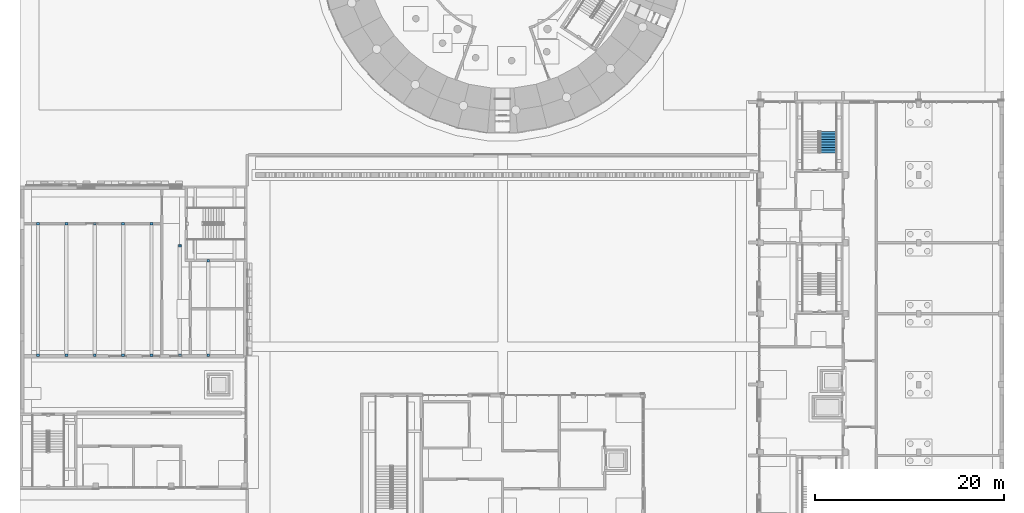
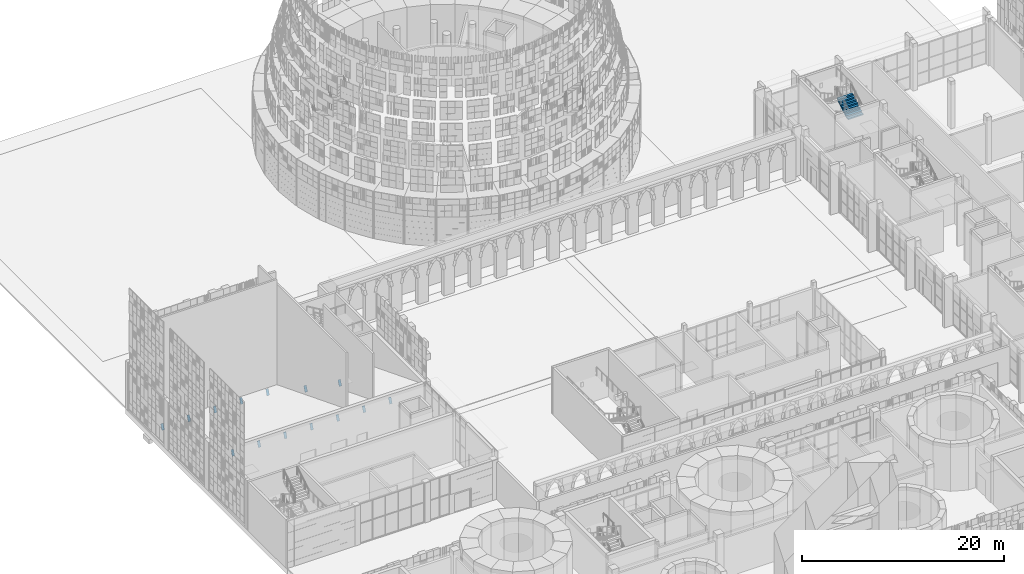
# One storey, part 71 of 125: 14 discrete accessories, 1 stair flight, 1 element without a shape of its own.
"""IFC4 building model written with IfcOpenShell, lengths in metres."""

from ifc_helpers import new_model, si_unit, direction, frame, origin, origin_2d, place, context, subcontext, project, spatial, polyline, rectangle, outline, extrude, material, material_profile, profile_set, type_object, element, aggregate, save


model = new_model("IFC4")

# Units and contexts
model_context = context("Model", 3, precision=1e-05, world=origin(), true_north=direction((0.0, 1.0)))
body_context = subcontext(model_context, "Body", "Model", "MODEL_VIEW")
ifc_project = project(units=[si_unit("LENGTHUNIT", "METRE"), si_unit("AREAUNIT", "SQUARE_METRE"), si_unit("VOLUMEUNIT", "CUBIC_METRE"), si_unit("PLANEANGLEUNIT", "RADIAN"), si_unit("MASSUNIT", "GRAM", prefix="KILO")], contexts=[model_context])

# Site, building, storey
site_placement = place(None, origin())
site = spatial("IfcSite", under=ifc_project, at=site_placement, CompositionType="ELEMENT")
building_placement = place(site_placement, origin())
building = spatial("IfcBuilding", under=site, at=building_placement, Name="Sun Court Science Centre", CompositionType="ELEMENT")
storey_placement = place(building_placement, origin())
storey = spatial("IfcBuildingStorey", under=building, at=storey_placement, Name="L00", CompositionType="ELEMENT", Elevation=0.0)

# Stair, stair flight
ifc_material_1 = material(Name="Concrete C25/30", Category="concrete")
stair_type = type_object("IfcStairType", Name="Stair 1500 enclosed half-turn", PredefinedType="HALF_TURN_STAIR", material=ifc_material_1)
stair_placement = place(storey_placement, origin())
stair = element("IfcStair", 1, at=stair_placement, inside=storey, type_object=stair_type, Name="L00 Stair SL4", PredefinedType="HALF_TURN_STAIR")
ifc_material_2 = material(Name="Concrete C25/30", Category="concrete")
stair_flight_type = type_object("IfcStairFlightType", Name="Stair flight 1500 with waist", PredefinedType="STRAIGHT", material=ifc_material_2)
stair_flight_placement = place(storey_placement, frame((85.448974609375, 75.498046875, 3.0), z_axis=(0.0, 0.0, 1.0), x_axis=(0.0, 1.0, 0.0)))
stair_flight = element("IfcStairFlight", 2, at=stair_flight_placement, type_object=stair_flight_type, Name="SL4 flight 3", NumberOfRisers=9, NumberOfTreads=8, PredefinedType="STRAIGHT", RiserHeight=0.166666667, TreadLength=0.28, context=body_context, shape_type="SweptSolid", body=[
    extrude(outline(polyline([(0.0, 0.0), (0.0, 0.00244140625), (0.0, 0.0048828125), (0.0, 0.00732421875), (0.0, 0.009765625), (0.0, 0.01220703125), (0.0, 0.0146484375), (0.0, 0.01708984375), (0.0, 0.01953125), (0.0, 0.02197265625), (0.0, 0.0244140625), (0.0, 0.02685546875), (0.0, 0.029296875), (0.0, 0.03173828125), (0.0, 0.0341796875), (0.0, 0.03662109375), (0.0, 0.0390625), (0.0, 0.04150390625), (0.0, 0.0439453125), (0.0, 0.04638671875), (0.0, 0.048828125), (0.0, 0.05126953125), (0.0, 0.0537109375), (0.0, 0.05615234375), (0.0, 0.05859375), (0.0, 0.06103515625), (0.0, 0.0634765625), (0.0, 0.06591796875), (0.0, 0.068359375), (0.0, 0.07080078125), (0.0, 0.0732421875), (0.0, 0.07568359375), (0.0, 0.078125), (0.0, 0.08056640625), (0.0, 0.0830078125), (0.0, 0.08544921875), (0.0, 0.087890625), (0.0, 0.09033203125), (0.0, 0.0927734375), (0.0, 0.09521484375), (0.0, 0.09765625), (0.0, 0.10009765625), (0.0, 0.1025390625), (0.0, 0.10498046875), (0.0, 0.107421875), (0.0, 0.10986328125), (0.0, 0.1123046875), (0.0, 0.11474609375), (0.0, 0.1171875), (0.0, 0.11962890625), (0.0, 0.1220703125), (0.0, 0.12451171875), (0.0, 0.126953125), (0.0, 0.12939453125), (0.0, 0.1318359375), (0.0, 0.13427734375), (0.0, 0.13671875), (0.0, 0.13916015625), (0.0, 0.1416015625), (0.0, 0.14404296875), (0.0, 0.146484375), (0.0, 0.14892578125), (0.0, 0.1513671875), (0.0, 0.15380859375), (0.0, 0.15625), (0.0, 0.15869140625), (0.0, 0.1611328125), (0.0, 0.16357421875), (0.0, 0.166748046875), (0.280029296875, 0.166748046875), (0.280029296875, 0.333251953125), (0.56005859375, 0.333251953125), (0.56005859375, 0.5), (0.840087890625, 0.5), (0.840087890625, 0.666748046875), (1.1201171875, 0.666748046875), (1.1201171875, 0.833251953125), (1.39990234375, 0.833251953125), (1.39990234375, 1.0), (1.679931640625, 1.0), (1.679931640625, 1.166748046875), (1.9599609375, 1.166748046875), (1.9599609375, 1.333251953125), (2.239990234375, 1.333251953125), (2.239990234375, 1.335693359375), (2.239990234375, 1.338134765625), (2.239990234375, 1.340576171875), (2.239990234375, 1.343017578125), (2.239990234375, 1.345458984375), (2.239990234375, 1.347900390625), (2.239990234375, 1.350341796875), (2.239990234375, 1.352783203125), (2.239990234375, 1.355224609375), (2.239990234375, 1.357666015625), (2.239990234375, 1.360107421875), (2.239990234375, 1.362548828125), (2.239990234375, 1.364990234375), (2.239990234375, 1.367431640625), (2.239990234375, 1.369873046875), (2.239990234375, 1.372314453125), (2.239990234375, 1.374755859375), (2.239990234375, 1.377197265625), (2.239990234375, 1.379638671875), (2.239990234375, 1.382080078125), (2.239990234375, 1.384521484375), (2.239990234375, 1.386962890625), (2.239990234375, 1.389404296875), (2.239990234375, 1.391845703125), (2.239990234375, 1.394287109375), (2.239990234375, 1.396728515625), (2.239990234375, 1.399169921875), (2.239990234375, 1.401611328125), (2.239990234375, 1.404052734375), (2.239990234375, 1.406494140625), (2.239990234375, 1.408935546875), (2.239990234375, 1.411376953125), (2.239990234375, 1.413818359375), (2.239990234375, 1.416259765625), (2.239990234375, 1.418701171875), (2.239990234375, 1.421142578125), (2.239990234375, 1.423583984375), (2.239990234375, 1.426025390625), (2.239990234375, 1.428466796875), (2.239990234375, 1.430908203125), (2.239990234375, 1.433349609375), (2.239990234375, 1.435791015625), (2.239990234375, 1.438232421875), (2.239990234375, 1.440673828125), (2.239990234375, 1.443115234375), (2.239990234375, 1.445556640625), (2.239990234375, 1.447998046875), (2.239990234375, 1.450439453125), (2.239990234375, 1.452880859375), (2.239990234375, 1.455322265625), (2.239990234375, 1.457763671875), (2.239990234375, 1.460205078125), (2.239990234375, 1.462646484375), (2.239990234375, 1.465087890625), (2.239990234375, 1.467529296875), (2.239990234375, 1.469970703125), (2.239990234375, 1.472412109375), (2.239990234375, 1.474853515625), (2.239990234375, 1.477294921875), (2.239990234375, 1.479736328125), (2.239990234375, 1.482177734375), (2.239990234375, 1.484619140625), (2.239990234375, 1.487060546875), (2.239990234375, 1.489501953125), (2.239990234375, 1.491943359375), (2.239990234375, 1.494384765625), (2.239990234375, 1.496826171875), (2.239990234375, 1.5), (2.239990234375, 1.49755859375), (2.239990234375, 1.4951171875), (2.239990234375, 1.49267578125), (2.239990234375, 1.490234375), (2.239990234375, 1.48779296875), (2.239990234375, 1.4853515625), (2.239990234375, 1.48291015625), (2.239990234375, 1.48046875), (2.239990234375, 1.47802734375), (2.239990234375, 1.4755859375), (2.239990234375, 1.47314453125), (2.239990234375, 1.470703125), (2.239990234375, 1.46826171875), (2.239990234375, 1.4658203125), (2.239990234375, 1.46337890625), (2.239990234375, 1.4609375), (2.239990234375, 1.45849609375), (2.239990234375, 1.4560546875), (2.239990234375, 1.45361328125), (2.239990234375, 1.451171875), (2.239990234375, 1.44873046875), (2.239990234375, 1.4462890625), (2.239990234375, 1.44384765625), (2.239990234375, 1.44140625), (2.239990234375, 1.43896484375), (2.239990234375, 1.4365234375), (2.239990234375, 1.43408203125), (2.239990234375, 1.431640625), (2.239990234375, 1.42919921875), (2.239990234375, 1.4267578125), (2.239990234375, 1.42431640625), (2.239990234375, 1.421875), (2.239990234375, 1.41943359375), (2.239990234375, 1.4169921875), (2.239990234375, 1.41455078125), (2.239990234375, 1.412109375), (2.239990234375, 1.40966796875), (2.239990234375, 1.4072265625), (2.239990234375, 1.40478515625), (2.239990234375, 1.40234375), (2.239990234375, 1.39990234375), (2.239990234375, 1.3974609375), (2.239990234375, 1.39501953125), (2.239990234375, 1.392578125), (2.239990234375, 1.39013671875), (2.239990234375, 1.3876953125), (2.239990234375, 1.38525390625), (2.239990234375, 1.3828125), (2.239990234375, 1.38037109375), (2.239990234375, 1.3779296875), (2.239990234375, 1.37548828125), (2.239990234375, 1.373046875), (2.239990234375, 1.37060546875), (2.239990234375, 1.3681640625), (2.239990234375, 1.36572265625), (2.239990234375, 1.36328125), (2.239990234375, 1.36083984375), (2.239990234375, 1.3583984375), (2.239990234375, 1.35595703125), (2.239990234375, 1.353515625), (2.239990234375, 1.35107421875), (2.239990234375, 1.3486328125), (2.239990234375, 1.34619140625), (2.239990234375, 1.34375), (2.239990234375, 1.34130859375), (2.239990234375, 1.3388671875), (2.239990234375, 1.33642578125), (2.239990234375, 1.333984375), (2.239990234375, 1.33154296875), (2.239990234375, 1.3291015625), (2.239990234375, 1.32666015625), (2.239990234375, 1.32421875), (2.239990234375, 1.32177734375), (2.239990234375, 1.3193359375), (2.239990234375, 1.31689453125), (2.239990234375, 1.314453125), (2.239990234375, 1.31201171875), (2.239990234375, 1.3095703125), (2.239990234375, 1.30712890625), (2.239990234375, 1.3046875), (2.239990234375, 1.30224609375), (2.239990234375, 1.2998046875), (2.239990234375, 1.29736328125), (2.239990234375, 1.294921875), (2.239990234375, 1.29248046875), (2.239990234375, 1.2900390625), (2.239990234375, 1.28759765625), (2.239990234375, 1.28515625), (2.239990234375, 1.28271484375), (2.239990234375, 1.2802734375), (2.239990234375, 1.27783203125), (2.239990234375, 1.275390625), (2.239990234375, 1.27294921875), (2.239990234375, 1.2705078125), (2.239990234375, 1.26806640625), (2.239990234375, 1.265625), (2.239990234375, 1.26318359375), (2.239990234375, 1.2607421875), (2.239990234375, 1.25830078125), (2.239990234375, 1.255859375), (2.239990234375, 1.25341796875), (2.239990234375, 1.2509765625), (2.239990234375, 1.24853515625), (2.239990234375, 1.24609375), (2.239990234375, 1.24365234375), (2.239990234375, 1.2412109375), (2.239990234375, 1.23876953125), (2.239990234375, 1.236328125), (2.239990234375, 1.23388671875), (2.239990234375, 1.2314453125), (2.239990234375, 1.22900390625), (2.239990234375, 1.2265625), (2.239990234375, 1.22412109375), (2.239990234375, 1.2216796875), (2.239990234375, 1.21923828125), (2.239990234375, 1.216796875), (2.239990234375, 1.21435546875), (2.239990234375, 1.2119140625), (2.239990234375, 1.20947265625), (2.239990234375, 1.20703125), (2.239990234375, 1.20458984375), (2.239990234375, 1.2021484375), (2.239990234375, 1.19970703125), (2.239990234375, 1.197265625), (2.239990234375, 1.19482421875), (2.239990234375, 1.1923828125), (2.239990234375, 1.18994140625), (2.239990234375, 1.1875), (2.239990234375, 1.18505859375), (2.239990234375, 1.1826171875), (2.239990234375, 1.18017578125), (2.239990234375, 1.177734375), (2.239990234375, 1.17529296875), (2.239990234375, 1.1728515625), (2.239990234375, 1.17041015625), (2.239990234375, 1.16796875), (2.239990234375, 1.16552734375), (2.239990234375, 1.1630859375), (2.239990234375, 1.158935546875), (0.29296875, 0.0), (0.0, 0.0)])), frame((0.0, 0.8740234375, 0.0), z_axis=(0.0, -1.0, 0.0), x_axis=(1.0, 0.0, 0.0)), (0.0, 0.0, 1.0), 1.748046875),
])
aggregate(stair, [stair_flight])

# Discrete accessories
ifc_material_3 = material(Name="Steel S355", Category="steel")
ifc_material_profile = material_profile(ifc_material_3, rectangle(XDim=0.300048828125, YDim=0.699951171875, at=origin_2d()), Name="PL 300x700")
ifc_profile_set = profile_set([ifc_material_profile], Name="Steel S355")
discrete_accessory_type = type_object("IfcDiscreteAccessoryType", Name="Raker bearing plate 300x700x20", PredefinedType="BRACKET", material=ifc_profile_set)
discrete_accessory_1_placement = place(storey_placement, frame((1.89990234375, 54.090576171875, 4.741943359375), z_axis=(0.0, 0.93582876642, -0.35245498995), x_axis=(-1.0, 0.0, 0.0)))
element("IfcDiscreteAccessory", 3, at=discrete_accessory_1_placement, inside=storey, type_object=discrete_accessory_type, Name="Raker bearing plate 1", PredefinedType="BRACKET", context=body_context, shape_type="SweptSolid", body=[
    extrude(rectangle(XDim=0.300048828125, YDim=0.699951171875, at=origin_2d()), origin(), (0.0, 0.0, 1.0), 0.02001953125),
])
discrete_accessory_2_placement = place(storey_placement, frame((1.89990234375, 67.99072265625, -0.56884765625), z_axis=(0.0, 0.934292849328, -0.356506481981), x_axis=(-1.0, 0.0, 0.0)))
element("IfcDiscreteAccessory", 4, at=discrete_accessory_2_placement, inside=storey, type_object=discrete_accessory_type, Name="Raker bearing plate 2", PredefinedType="BRACKET", context=body_context, shape_type="SweptSolid", body=[
    extrude(rectangle(XDim=0.300048828125, YDim=0.699951171875, at=origin_2d()), origin(), (0.0, 0.0, 1.0), 0.019775390625),
])
discrete_accessory_3_placement = place(storey_placement, frame((4.89990234375, 54.090576171875, 4.741943359375), z_axis=(0.0, 0.93582876642, -0.35245498995), x_axis=(-1.0, 0.0, 0.0)))
element("IfcDiscreteAccessory", 5, at=discrete_accessory_3_placement, inside=storey, type_object=discrete_accessory_type, Name="Raker bearing plate 3", PredefinedType="BRACKET", context=body_context, shape_type="SweptSolid", body=[
    extrude(rectangle(XDim=0.300048828125, YDim=0.699951171875, at=origin_2d()), origin(), (0.0, 0.0, 1.0), 0.02001953125),
])
discrete_accessory_4_placement = place(storey_placement, frame((4.89990234375, 67.99072265625, -0.56884765625), z_axis=(0.0, 0.934292849328, -0.356506481981), x_axis=(-1.0, 0.0, 0.0)))
element("IfcDiscreteAccessory", 6, at=discrete_accessory_4_placement, inside=storey, type_object=discrete_accessory_type, Name="Raker bearing plate 4", PredefinedType="BRACKET", context=body_context, shape_type="SweptSolid", body=[
    extrude(rectangle(XDim=0.300048828125, YDim=0.699951171875, at=origin_2d()), origin(), (0.0, 0.0, 1.0), 0.019775390625),
])
discrete_accessory_5_placement = place(storey_placement, frame((7.89990234375, 54.090576171875, 4.741943359375), z_axis=(0.0, 0.93582876642, -0.35245498995), x_axis=(-1.0, 0.0, 0.0)))
element("IfcDiscreteAccessory", 7, at=discrete_accessory_5_placement, inside=storey, type_object=discrete_accessory_type, Name="Raker bearing plate 5", PredefinedType="BRACKET", context=body_context, shape_type="SweptSolid", body=[
    extrude(rectangle(XDim=0.300048828125, YDim=0.699951171875, at=origin_2d()), origin(), (0.0, 0.0, 1.0), 0.02001953125),
])
discrete_accessory_6_placement = place(storey_placement, frame((7.89990234375, 67.99072265625, -0.56884765625), z_axis=(0.0, 0.934292849328, -0.356506481981), x_axis=(-1.0, 0.0, 0.0)))
element("IfcDiscreteAccessory", 8, at=discrete_accessory_6_placement, inside=storey, type_object=discrete_accessory_type, Name="Raker bearing plate 6", PredefinedType="BRACKET", context=body_context, shape_type="SweptSolid", body=[
    extrude(rectangle(XDim=0.300048828125, YDim=0.699951171875, at=origin_2d()), origin(), (0.0, 0.0, 1.0), 0.019775390625),
])
discrete_accessory_7_placement = place(storey_placement, frame((10.89990234375, 54.090576171875, 4.741943359375), z_axis=(0.0, 0.93582876642, -0.35245498995), x_axis=(-1.0, 0.0, 0.0)))
element("IfcDiscreteAccessory", 9, at=discrete_accessory_7_placement, inside=storey, type_object=discrete_accessory_type, Name="Raker bearing plate 7", PredefinedType="BRACKET", context=body_context, shape_type="SweptSolid", body=[
    extrude(rectangle(XDim=0.300048828125, YDim=0.699951171875, at=origin_2d()), origin(), (0.0, 0.0, 1.0), 0.02001953125),
])
discrete_accessory_8_placement = place(storey_placement, frame((10.89990234375, 67.99072265625, -0.56884765625), z_axis=(0.0, 0.934292849328, -0.356506481981), x_axis=(-1.0, 0.0, 0.0)))
element("IfcDiscreteAccessory", 10, at=discrete_accessory_8_placement, inside=storey, type_object=discrete_accessory_type, Name="Raker bearing plate 8", PredefinedType="BRACKET", context=body_context, shape_type="SweptSolid", body=[
    extrude(rectangle(XDim=0.300048828125, YDim=0.699951171875, at=origin_2d()), origin(), (0.0, 0.0, 1.0), 0.019775390625),
])
discrete_accessory_9_placement = place(storey_placement, frame((13.89990234375, 54.090576171875, 4.741943359375), z_axis=(0.0, 0.93582876642, -0.35245498995), x_axis=(-1.0, 0.0, 0.0)))
element("IfcDiscreteAccessory", 11, at=discrete_accessory_9_placement, inside=storey, type_object=discrete_accessory_type, Name="Raker bearing plate 9", PredefinedType="BRACKET", context=body_context, shape_type="SweptSolid", body=[
    extrude(rectangle(XDim=0.300048828125, YDim=0.699951171875, at=origin_2d()), origin(), (0.0, 0.0, 1.0), 0.02001953125),
])
discrete_accessory_10_placement = place(storey_placement, frame((13.89990234375, 67.99072265625, -0.56884765625), z_axis=(0.0, 0.934292849328, -0.356506481981), x_axis=(-1.0, 0.0, 0.0)))
element("IfcDiscreteAccessory", 12, at=discrete_accessory_10_placement, inside=storey, type_object=discrete_accessory_type, Name="Raker bearing plate 10", PredefinedType="BRACKET", context=body_context, shape_type="SweptSolid", body=[
    extrude(rectangle(XDim=0.300048828125, YDim=0.699951171875, at=origin_2d()), origin(), (0.0, 0.0, 1.0), 0.019775390625),
])
discrete_accessory_11_placement = place(storey_placement, frame((16.89990234375, 54.090576171875, 4.741943359375), z_axis=(0.0, 0.931777391985, -0.363030152722), x_axis=(-1.0, 0.0, 0.0)))
element("IfcDiscreteAccessory", 13, at=discrete_accessory_11_placement, inside=storey, type_object=discrete_accessory_type, Name="Raker bearing plate 11", PredefinedType="BRACKET", context=body_context, shape_type="SweptSolid", body=[
    extrude(rectangle(XDim=0.300048828125, YDim=0.699951171875, at=origin_2d()), origin(), (0.0, 0.0, 1.0), 0.020263671875),
])
discrete_accessory_12_placement = place(storey_placement, frame((16.89990234375, 65.64306640625, 0.20361328125), z_axis=(0.0, 0.930155221331, -0.367166534736), x_axis=(-1.0, 0.0, 0.0)))
element("IfcDiscreteAccessory", 14, at=discrete_accessory_12_placement, inside=storey, type_object=discrete_accessory_type, Name="Raker bearing plate 12", PredefinedType="BRACKET", context=body_context, shape_type="SweptSolid", body=[
    extrude(rectangle(XDim=0.300048828125, YDim=0.699951171875, at=origin_2d()), origin(), (0.0, 0.0, 1.0), 0.02001953125),
])
for number, where, z_axis, x_axis, name in (
    (15, (19.89990234375, 54.090576171875, 4.741943359375), (0.0, 0.931777391985, -0.363030152722), (-1.0, 0.0, 0.0), "Raker bearing plate 13"),
    (16, (19.89990234375, 64.090576171875, 0.8134765625), (0.0, 0.931777391985, -0.363030152722), (-1.0, 0.0, 0.0), "Raker bearing plate 14"),
):
    element("IfcDiscreteAccessory", number, at=place(storey_placement, frame(where, z_axis=z_axis, x_axis=x_axis)), inside=storey, type_object=discrete_accessory_type, Name=name, PredefinedType="BRACKET", context=body_context, shape_type="SweptSolid", body=[
        extrude(rectangle(XDim=0.300048828125, YDim=0.699951171875, at=origin_2d()), origin(), (0.0, 0.0, 1.0), 0.020263671875),
    ])

save(model, "model.ifc")
